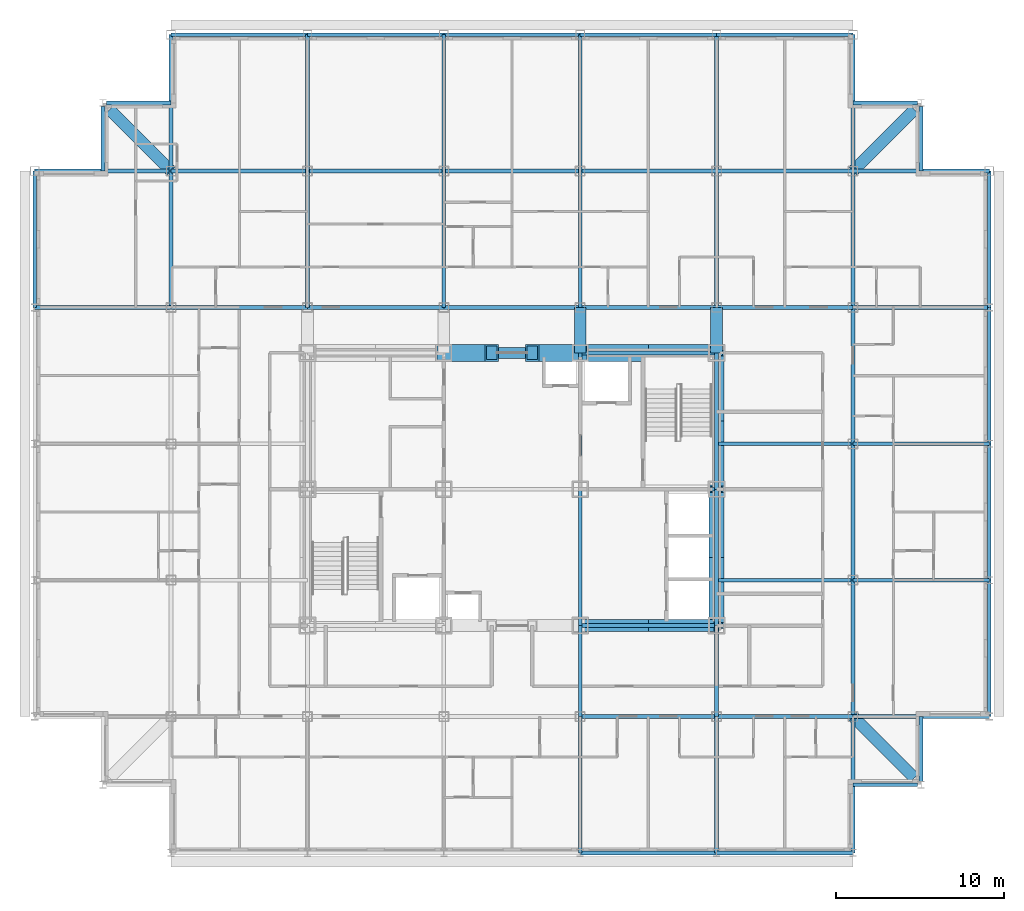
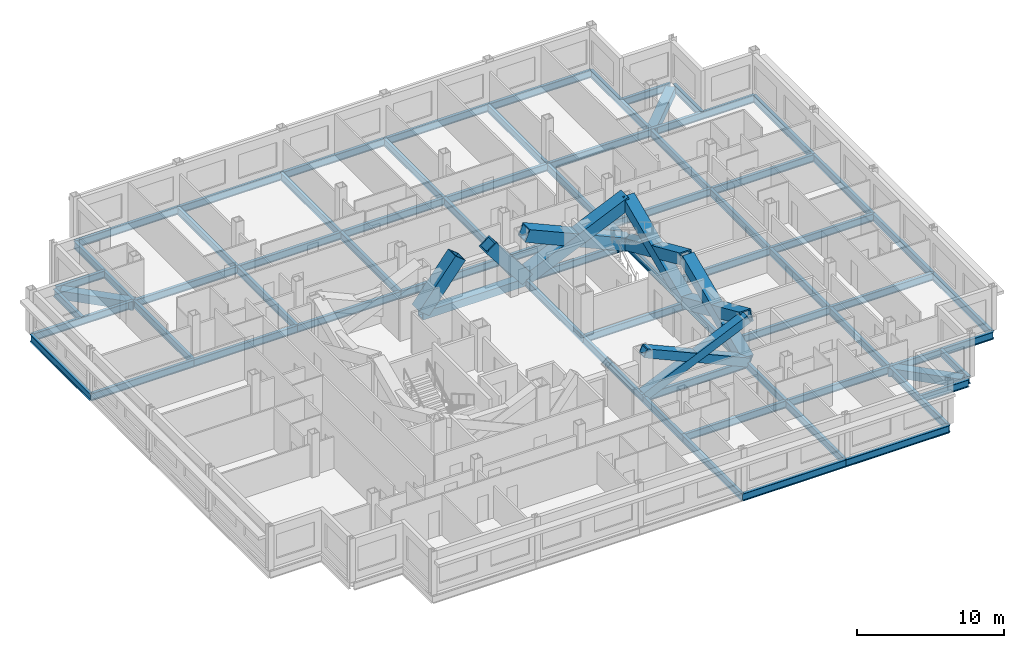
# One storey, part 2 of 12: 72 beams, 10 members.
"""IFC4 building model written with IfcOpenShell, lengths in metres."""

import ifcopenshell
import ifcopenshell.guid

model = None  # the IFC model being written
_history = None  # IfcOwnerHistory: only IFC2X3 demands one
_inside = {}  # id of a spatial element -> (the spatial element, [elements in it])
_under = {}  # id of a project, library or spatial element -> (it, [spatial elements below it])
_declared = {}  # id of a project -> (the project, [libraries it declares])
_typed = {}  # id of a type object -> (the type object, [elements of that type])
_made_of = {}  # id of a material, layer set ... -> (it, [elements and type objects made of it])


def new_model(schema):
    """Start an empty IFC model of exactly this schema.

    Asked for "IFC4X3", IfcOpenShell would pick the latest addendum, in which some entities
    have other attributes; the version numbers below select the first issue.
    IFC2X3 requires an IfcOwnerHistory on every rooted entity: one is made here for all.
    """
    global model, _history
    if schema == "IFC4X3":
        model = ifcopenshell.file(schema_version=(4, 3, 0, 0))
    else:
        model = ifcopenshell.file(schema=schema)
    _inside.clear()
    _under.clear()
    _declared.clear()
    _typed.clear()
    _made_of.clear()
    _history = None
    if model.schema == "IFC2X3":
        org = make("IfcOrganization", Name="unknown")
        user = make(
            "IfcPersonAndOrganization",
            ThePerson=make("IfcPerson", FamilyName="unknown"),
            TheOrganization=org,
        )
        app = make(
            "IfcApplication",
            ApplicationDeveloper=org,
            Version="unknown",
            ApplicationFullName="unknown",
            ApplicationIdentifier="unknown",
        )
        _history = make(
            "IfcOwnerHistory",
            OwningUser=user,
            OwningApplication=app,
            ChangeAction="ADDED",
            CreationDate=0,
        )
    return model


def make(cls, **values):
    """One entity of the class cls with the attributes given. An attribute that is None is left unset."""
    return model.create_entity(
        cls, **{name: value for name, value in values.items() if value is not None}
    )


def rooted(cls, **values):
    """An entity with a GlobalId (a new one), such as an element, a storey or a relation."""
    return make(cls, GlobalId=ifcopenshell.guid.new(), OwnerHistory=_history, **values)


def si_unit(unit_type, name, prefix=None):
    """IfcSIUnit, for example si_unit("LENGTHUNIT", "METRE", prefix="MILLI")."""
    return make("IfcSIUnit", UnitType=unit_type, Prefix=prefix, Name=name)


def assignment(units):
    """IfcUnitAssignment: the units of a project."""
    return None if units is None else make("IfcUnitAssignment", Units=units)


def point(xyz):
    """IfcCartesianPoint."""
    return None if xyz is None else make("IfcCartesianPoint", Coordinates=xyz)


def direction(xyz):
    """IfcDirection."""
    return None if xyz is None else make("IfcDirection", DirectionRatios=xyz)


def frame(location, z_axis=None, x_axis=None):
    """IfcAxis2Placement3D, a coordinate frame: its origin and axes. An axis left out is left unset."""
    return make(
        "IfcAxis2Placement3D",
        Location=point(location),
        Axis=direction(z_axis),
        RefDirection=direction(x_axis),
    )


def frame_2d(location, x_axis=None):
    """IfcAxis2Placement2D, a coordinate frame in the plane: its origin and x axis."""
    return make(
        "IfcAxis2Placement2D", Location=point(location), RefDirection=direction(x_axis)
    )


def origin():
    """The frame at (0, 0, 0) with its axes left unset."""
    return frame((0.0, 0.0, 0.0))


def origin_2d():
    """The frame at (0, 0) in the plane with its x axis left unset."""
    return frame_2d((0.0, 0.0))


def place(relative_to, where):
    """IfcLocalPlacement: puts the frame where relative to a parent placement (None: the world)."""
    return make(
        "IfcLocalPlacement", PlacementRelTo=relative_to, RelativePlacement=where
    )


def context(
    kind, dimensions, precision=None, world=None, true_north=None, identifier=None
):
    """IfcGeometricRepresentationContext, for example the 3D "Model" context."""
    return make(
        "IfcGeometricRepresentationContext",
        ContextIdentifier=identifier,
        ContextType=kind,
        CoordinateSpaceDimension=dimensions,
        Precision=precision,
        WorldCoordinateSystem=world,
        TrueNorth=true_north,
    )


def subcontext(parent, identifier, kind, view, scale=None):
    """IfcGeometricRepresentationSubContext, for example "Body" below "Model"."""
    return make(
        "IfcGeometricRepresentationSubContext",
        ContextIdentifier=identifier,
        ContextType=kind,
        ParentContext=parent,
        TargetScale=scale,
        TargetView=view,
    )


def project(units=None, contexts=None):
    """IfcProject with its units and contexts."""
    return rooted(
        "IfcProject",
        Name="project",
        RepresentationContexts=contexts,
        UnitsInContext=assignment(units),
    )


def spatial(cls, under=None, at=None, **own):
    """A site, building, storey or space (cls), placed at a placement, below another one or the project."""
    s = rooted(cls, ObjectPlacement=at, **own)
    if under is not None:
        _under.setdefault(under.id(), (under, []))[1].append(s)
    return s


def profile(cls, at=None, kind="AREA", **sizes):
    """A parametric profile (cls). Its sizes go by their IFC names, for example OverallWidth=200.0."""
    return make(cls, ProfileType=kind, Position=at, **sizes)


def hollow_rectangle(**sizes):
    """IfcRectangleHollowProfileDef."""
    return profile("IfcRectangleHollowProfileDef", **sizes)


def i_section(**sizes):
    """IfcIShapeProfileDef."""
    return profile("IfcIShapeProfileDef", **sizes)


def extrude(swept, where, along, depth):
    """IfcExtrudedAreaSolid: the profile swept, set in the frame where, extruded along a direction by depth."""
    return make(
        "IfcExtrudedAreaSolid",
        SweptArea=swept,
        Position=where,
        ExtrudedDirection=direction(along),
        Depth=depth,
    )


def shape(context_of_items, identifier, shape_type, items):
    """IfcShapeRepresentation: the items that make up one representation, for example the "Body"."""
    return make(
        "IfcShapeRepresentation",
        ContextOfItems=context_of_items,
        RepresentationIdentifier=identifier,
        RepresentationType=shape_type,
        Items=items,
    )


def material(Name=None, Category=None):
    """IfcMaterial."""
    return make("IfcMaterial", Name=Name, Category=Category)


def material_profile(
    of_material, cross_section, Name=None, Category=None, Priority=None
):
    """IfcMaterialProfile: a cross section and its material."""
    return make(
        "IfcMaterialProfile",
        Name=Name,
        Material=of_material,
        Profile=cross_section,
        Priority=Priority,
        Category=Category,
    )


def profile_set(profiles, Name=None, composite=None):
    """IfcMaterialProfileSet."""
    return make(
        "IfcMaterialProfileSet",
        Name=Name,
        MaterialProfiles=profiles,
        CompositeProfile=composite,
    )


def made_of(thing, what):
    """Note that an element or type object is made of a material, layer set ...; save() writes the relation."""
    if what is not None:
        _made_of.setdefault(what.id(), (what, []))[1].append(thing)
    return thing


def type_object(cls, material=None, **own):
    """A type object (cls), such as IfcWallType, which elements share."""
    return made_of(rooted(cls, **own), material)


def element(
    cls,
    number,
    at=None,
    inside=None,
    cuts=None,
    type_object=None,
    material=None,
    context=None,
    identifier="Body",
    shape_type=None,
    held_by="IfcProductDefinitionShape",
    body=None,
    shapes=None,
    **own,
):
    """One element of the class cls, such as IfcWall. Its Tag is "e" and its number.

    at: its placement. inside: the storey or other place that contains it. cuts: it is an
    opening in that element (IfcRelVoidsElement). A single representation is given by context,
    identifier, shape_type and body (its items); several are given by shapes. held_by: the class
    of the entity that holds the representations. save() writes the other relations.
    """
    e = rooted(cls, Tag="e%d" % number, ObjectPlacement=at, **own)
    if body is not None:
        shapes = [shape(context, identifier, shape_type, body)]
    if shapes is not None:
        e.Representation = make(held_by, Representations=shapes)
    if inside is not None:
        _inside.setdefault(inside.id(), (inside, []))[1].append(e)
    if cuts is not None:
        rooted(
            "IfcRelVoidsElement", RelatingBuildingElement=cuts, RelatedOpeningElement=e
        )
    if type_object is not None:
        _typed.setdefault(type_object.id(), (type_object, []))[1].append(e)
    return made_of(e, material)


def aggregate(whole, parts):
    """IfcRelAggregates: a whole, such as a stair, and the parts it consists of."""
    return rooted("IfcRelAggregates", RelatingObject=whole, RelatedObjects=parts)


def save(model, path):
    """Write the relations noted so far, then the file.

    IfcRelAggregates (storeys below a building ...), IfcRelContainedInSpatialStructure (elements
    in a storey), IfcRelDefinesByType, IfcRelAssociatesMaterial and IfcRelDeclares: one each for
    every whole, place, type object, material and project.
    """
    for whole, parts in _under.values():
        aggregate(whole, parts)
    for where, things in _inside.values():
        rooted(
            "IfcRelContainedInSpatialStructure",
            RelatedElements=things,
            RelatingStructure=where,
        )
    for kind, things in _typed.values():
        rooted("IfcRelDefinesByType", RelatedObjects=things, RelatingType=kind)
    for what, things in _made_of.values():
        rooted("IfcRelAssociatesMaterial", RelatedObjects=things, RelatingMaterial=what)
    for by, libraries in _declared.values():
        rooted("IfcRelDeclares", RelatingContext=by, RelatedDefinitions=libraries)
    model.write(path)


model = new_model("IFC4")

# Units and contexts
model_context = context("Model", 3, precision=1e-05, world=origin(), true_north=direction((0.0, 1.0)))
body_context = subcontext(model_context, "Body", "Model", "MODEL_VIEW")
ifc_project = project(units=[si_unit("LENGTHUNIT", "METRE"), si_unit("AREAUNIT", "SQUARE_METRE"), si_unit("VOLUMEUNIT", "CUBIC_METRE"), si_unit("PLANEANGLEUNIT", "RADIAN"), si_unit("MASSUNIT", "GRAM", prefix="KILO")], contexts=[model_context])

# Site, building, storey
site_placement = place(None, origin())
site = spatial("IfcSite", under=ifc_project, at=site_placement, CompositionType="ELEMENT")
building_placement = place(site_placement, origin())
building = spatial("IfcBuilding", under=site, at=building_placement, Name="Kopane Lantern Tower", CompositionType="ELEMENT")
storey_placement = place(building_placement, frame((0.0, 0.0, 220.800048828125)))
storey = spatial("IfcBuildingStorey", under=building, at=storey_placement, Name="L57", CompositionType="ELEMENT", Elevation=220.800048828125)

# Members
ifc_material_1 = material(Name="Steel S355JR", Category="steel")
ifc_material_profile_1 = material_profile(ifc_material_1, hollow_rectangle(XDim=1.0, YDim=1.0, WallThickness=0.10009765625, at=origin_2d()), Name="BOX 1000x1000x100")
ifc_profile_set_1 = profile_set([ifc_material_profile_1], Name="Steel S355JR")
member_type_1 = type_object("IfcMemberType", Name="BRACE BOX 1000x1000x100", PredefinedType="BRACE", material=ifc_profile_set_1)
for number, where, z_axis, x_axis, name in (
    (1, (24.300048828125, 40.5, -0.2099609375), (0.620698858423, 0.0, 0.784049059149), (0.0, 1.0, 0.0), "Core brace L57"),
    (2, (32.39990234375, 40.5, -0.2099609375), (-0.620698858423, 0.0, 0.784049059149), (0.0, -1.0, 0.0), "Core brace L57"),
):
    element("IfcMember", number, at=place(storey_placement, frame(where, z_axis=z_axis, x_axis=x_axis)), inside=storey, type_object=member_type_1, Name=name, PredefinedType="BRACE", context=body_context, shape_type="SweptSolid", body=[
        extrude(hollow_rectangle(XDim=1.0, YDim=1.0, WallThickness=0.10009765625, at=origin_2d()), origin(), (0.0, 0.0, 1.0), 4.59130859375),
    ])
for number, where, z_axis, x_axis, name in (
    (3, (32.39990234375, 40.5, -0.2099609375), (0.913819498983, 0.0, 0.406120577265), (0.0, 1.0, 0.0), "Core brace L57"),
    (4, (40.5, 40.5, -0.2099609375), (-0.913819498983, 0.0, 0.406120577265), (0.0, -1.0, 0.0), "Core brace L57"),
):
    element("IfcMember", number, at=place(storey_placement, frame(where, z_axis=z_axis, x_axis=x_axis)), inside=storey, type_object=member_type_1, Name=name, PredefinedType="BRACE", context=body_context, shape_type="SweptSolid", body=[
        extrude(hollow_rectangle(XDim=1.0, YDim=1.0, WallThickness=0.10009765625, at=origin_2d()), origin(), (0.0, 0.0, 1.0), 8.864013671875),
    ])
ifc_material_2 = material(Name="Steel S355JR", Category="steel")
ifc_material_profile_2 = material_profile(ifc_material_2, hollow_rectangle(XDim=0.699951171875, YDim=0.699951171875, WallThickness=0.06005859375, at=origin_2d()), Name="BOX 700x700x60")
ifc_profile_set_2 = profile_set([ifc_material_profile_2], Name="Steel S355JR")
member_type_2 = type_object("IfcMemberType", Name="BRACE BOX 700x700x60", PredefinedType="BRACE", material=ifc_profile_set_2)
for number, where, z_axis, x_axis, name in (
    (5, (32.39990234375, 24.300048828125, -0.2099609375), (0.913819498983, 0.0, 0.406120577265), (0.0, 1.0, 0.0), "Core brace L57"),
    (6, (40.5, 24.300048828125, -0.2099609375), (-0.913819498983, 0.0, 0.406120577265), (0.0, -1.0, 0.0), "Core brace L57"),
):
    element("IfcMember", number, at=place(storey_placement, frame(where, z_axis=z_axis, x_axis=x_axis)), inside=storey, type_object=member_type_2, Name=name, PredefinedType="BRACE", context=body_context, shape_type="SweptSolid", body=[
        extrude(hollow_rectangle(XDim=0.699951171875, YDim=0.699951171875, WallThickness=0.06005859375, at=origin_2d()), origin(), (0.0, 0.0, 1.0), 8.864013671875),
    ])
ifc_material_3 = material(Name="Steel S355JR", Category="steel")
ifc_material_profile_3 = material_profile(ifc_material_3, hollow_rectangle(XDim=0.89990234375, YDim=0.89990234375, WallThickness=0.090087890625, at=origin_2d()), Name="BOX 900x900x90")
ifc_profile_set_3 = profile_set([ifc_material_profile_3], Name="Steel S355JR")
member_type_3 = type_object("IfcMemberType", Name="BRACE BOX 900x900x90", PredefinedType="BRACE", material=ifc_profile_set_3)
for number, where, z_axis, x_axis, name in (
    (7, (40.5, 24.300048828125, -0.2099609375), (0.0, 0.913814956047, 0.406130799256), (-1.0, 0.0, 0.0), "Core brace L57"),
    (8, (40.5, 32.39990234375, -0.2099609375), (0.0, -0.913814956047, 0.406130799256), (1.0, 0.0, 0.0), "Core brace L57"),
):
    element("IfcMember", number, at=place(storey_placement, frame(where, z_axis=z_axis, x_axis=x_axis)), inside=storey, type_object=member_type_3, Name=name, PredefinedType="BRACE", context=body_context, shape_type="SweptSolid", body=[
        extrude(hollow_rectangle(XDim=0.89990234375, YDim=0.89990234375, WallThickness=0.090087890625, at=origin_2d()), origin(), (0.0, 0.0, 1.0), 8.86376953125),
    ])
for number, where, z_axis, x_axis, name in (
    (9, (40.5, 32.39990234375, -0.2099609375), (0.0, 0.913819498983, 0.406120577265), (-1.0, 0.0, 0.0), "Core brace L57"),
    (10, (40.5, 40.5, -0.2099609375), (0.0, -0.913819498983, 0.406120577265), (1.0, 0.0, 0.0), "Core brace L57"),
):
    element("IfcMember", number, at=place(storey_placement, frame(where, z_axis=z_axis, x_axis=x_axis)), inside=storey, type_object=member_type_3, Name=name, PredefinedType="BRACE", context=body_context, shape_type="SweptSolid", body=[
        extrude(hollow_rectangle(XDim=0.89990234375, YDim=0.89990234375, WallThickness=0.090087890625, at=origin_2d()), origin(), (0.0, 0.0, 1.0), 8.864013671875),
    ])

# Beams
ifc_material_4 = material(Name="Steel S355JR", Category="steel")
ifc_material_profile_4 = material_profile(ifc_material_4, i_section(OverallWidth=0.22900390625, OverallDepth=0.6123046875, WebThickness=0.011962890625, FlangeThickness=0.01953125, FilletRadius=0.0126953125, at=origin_2d()), Name="UB 610x229x125")
ifc_profile_set_4 = profile_set([ifc_material_profile_4], Name="Steel S355JR")
beam_type_1 = type_object("IfcBeamType", Name="CORE BEAM UB 610x229x125", PredefinedType="BEAM", material=ifc_profile_set_4)
beam_1_placement = place(storey_placement, frame((32.39990234375, 24.300048828125, -0.51611328125), z_axis=(0.0, 1.0, 0.0), x_axis=(-1.0, 0.0, 0.0)))
element("IfcBeam", 11, at=beam_1_placement, inside=storey, type_object=beam_type_1, Name="Core Beam L57", PredefinedType="BEAM", context=body_context, shape_type="SweptSolid", body=[
    extrude(i_section(OverallWidth=0.22900390625, OverallDepth=0.6123046875, WebThickness=0.011962890625, FlangeThickness=0.01953125, FilletRadius=0.0126953125, at=origin_2d()), origin(), (0.0, 0.0, 1.0), 8.099853515625),
])
for number, where, z_axis, x_axis, name in (
    (12, (32.39990234375, 32.39990234375, -0.51611328125), (0.0, 1.0, 0.0), (-1.0, 0.0, 0.0), "Core Beam L57"),
    (13, (32.39990234375, 32.39990234375, -0.51611328125), (1.0, 0.0, 0.0), (0.0, 1.0, 0.0), "Core Beam L57"),
):
    element("IfcBeam", number, at=place(storey_placement, frame(where, z_axis=z_axis, x_axis=x_axis)), inside=storey, type_object=beam_type_1, Name=name, PredefinedType="BEAM", context=body_context, shape_type="SweptSolid", body=[
        extrude(i_section(OverallWidth=0.22900390625, OverallDepth=0.6123046875, WebThickness=0.011962890625, FlangeThickness=0.01953125, FilletRadius=0.0126953125, at=origin_2d()), origin(), (0.0, 0.0, 1.0), 8.10009765625),
    ])
ifc_material_5 = material(Name="Steel S355JR", Category="steel")
ifc_material_profile_5 = material_profile(ifc_material_5, hollow_rectangle(XDim=0.699951171875, YDim=0.699951171875, WallThickness=0.06005859375, at=origin_2d()), Name="BOX 700x700x60")
ifc_profile_set_5 = profile_set([ifc_material_profile_5], Name="Steel S355JR")
beam_type_2 = type_object("IfcBeamType", Name="CORNER TIE BEAM BOX 700x700x60", PredefinedType="BEAM", material=ifc_profile_set_5)
for number, where, z_axis, x_axis, name in (
    (14, (4.447509765625, 54.952392578125, -0.56005859375), (0.70713041325, -0.707083148333, 0.0), (0.707083148333, 0.70713041325, 0.0), "Corner Tie Beam L57"),
    (15, (52.25244140625, 15.24755859375, -0.56005859375), (-0.707106781187, 0.707106781187, 0.0), (-0.707106781187, -0.707106781187, 0.0), "Corner Tie Beam L57"),
    (16, (52.25244140625, 54.952392578125, -0.56005859375), (-0.707106781187, -0.707106781187, 0.0), (0.707106781187, -0.707106781187, 0.0), "Corner Tie Beam L57"),
):
    element("IfcBeam", number, at=place(storey_placement, frame(where, z_axis=z_axis, x_axis=x_axis)), inside=storey, type_object=beam_type_2, Name=name, PredefinedType="BEAM", context=body_context, shape_type="SweptSolid", body=[
        extrude(hollow_rectangle(XDim=0.699951171875, YDim=0.699951171875, WallThickness=0.06005859375, at=origin_2d()), origin(), (0.0, 0.0, 1.0), 5.165283203125),
    ])
ifc_material_6 = material(Name="Steel S355JR", Category="steel")
ifc_material_profile_6 = material_profile(ifc_material_6, i_section(OverallWidth=0.22900390625, OverallDepth=0.6123046875, WebThickness=0.011962890625, FlangeThickness=0.01953125, FilletRadius=0.0126953125, at=origin_2d()), Name="UB 610x229x125")
ifc_profile_set_6 = profile_set([ifc_material_profile_6], Name="Steel S355JR")
beam_type_3 = type_object("IfcBeamType", Name="EDGE BEAM UB 610x229x125", PredefinedType="BEAM", material=ifc_profile_set_6)
beam_2_placement = place(storey_placement, frame((4.050048828125, 55.146484375, -0.51611328125), z_axis=(0.0, -1.0, 0.0), x_axis=(1.0, 0.0, 0.0)))
element("IfcBeam", 17, at=beam_2_placement, inside=storey, type_object=beam_type_3, Name="Edge Beam L57", PredefinedType="BEAM", context=body_context, shape_type="SweptSolid", body=[
    extrude(i_section(OverallWidth=0.22900390625, OverallDepth=0.6123046875, WebThickness=0.011962890625, FlangeThickness=0.01953125, FilletRadius=0.0126953125, at=origin_2d()), origin(), (0.0, 0.0, 1.0), 3.846435546875),
])
beam_3_placement = place(storey_placement, frame((4.25341796875, 55.35009765625, -0.51611328125), z_axis=(1.0, 0.0, 0.0), x_axis=(0.0, 1.0, 0.0)))
element("IfcBeam", 18, at=beam_3_placement, inside=storey, type_object=beam_type_3, Name="Edge Beam L57", PredefinedType="BEAM", context=body_context, shape_type="SweptSolid", body=[
    extrude(i_section(OverallWidth=0.22900390625, OverallDepth=0.6123046875, WebThickness=0.011962890625, FlangeThickness=0.01953125, FilletRadius=0.0126953125, at=origin_2d()), origin(), (0.0, 0.0, 1.0), 3.8466796875),
])
for number, where, z_axis, x_axis, name in (
    (19, (52.446533203125, 14.85009765625, -0.51611328125), (-1.0, 0.0, 0.0), (0.0, -1.0, 0.0), "Edge Beam L57"),
    (20, (52.446533203125, 55.35009765625, -0.51611328125), (-1.0, 0.0, 0.0), (0.0, -1.0, 0.0), "Edge Beam L57"),
    (21, (52.64990234375, 15.053466796875, -0.51611328125), (0.0, 1.0, 0.0), (-1.0, 0.0, 0.0), "Edge Beam L57"),
    (22, (52.64990234375, 55.146484375, -0.51611328125), (0.0, -1.0, 0.0), (1.0, 0.0, 0.0), "Edge Beam L57"),
):
    element("IfcBeam", number, at=place(storey_placement, frame(where, z_axis=z_axis, x_axis=x_axis)), inside=storey, type_object=beam_type_3, Name=name, PredefinedType="BEAM", context=body_context, shape_type="SweptSolid", body=[
        extrude(i_section(OverallWidth=0.22900390625, OverallDepth=0.6123046875, WebThickness=0.011962890625, FlangeThickness=0.01953125, FilletRadius=0.0126953125, at=origin_2d()), origin(), (0.0, 0.0, 1.0), 3.846435546875),
    ])
ifc_material_7 = material(Name="Steel S355JR", Category="steel")
ifc_material_profile_7 = material_profile(ifc_material_7, hollow_rectangle(XDim=0.699951171875, YDim=0.699951171875, WallThickness=0.06005859375, at=origin_2d()), Name="BOX 700x700x60")
ifc_profile_set_7 = profile_set([ifc_material_profile_7], Name="Steel S355JR")
beam_type_4 = type_object("IfcBeamType", Name="GIRDER BOX 700x700x60", PredefinedType="BEAM", material=ifc_profile_set_7)
for number, where, z_axis, x_axis, name in (
    (23, (32.39990234375, 40.5, -0.56005859375), (0.0, 1.0, 0.0), (-1.0, 0.0, 0.0), "Girder L57"),
    (24, (40.5, 40.5, -0.56005859375), (0.0, 1.0, 0.0), (-1.0, 0.0, 0.0), "Girder L57"),
):
    element("IfcBeam", number, at=place(storey_placement, frame(where, z_axis=z_axis, x_axis=x_axis)), inside=storey, type_object=beam_type_4, Name=name, PredefinedType="BEAM", context=body_context, shape_type="SweptSolid", body=[
        extrude(hollow_rectangle(XDim=0.699951171875, YDim=0.699951171875, WallThickness=0.06005859375, at=origin_2d()), origin(), (0.0, 0.0, 1.0), 2.699951171875),
    ])
ifc_material_8 = material(Name="Steel S355JR", Category="steel")
ifc_material_profile_8 = material_profile(ifc_material_8, i_section(OverallWidth=0.22900390625, OverallDepth=0.6123046875, WebThickness=0.011962890625, FlangeThickness=0.01953125, FilletRadius=0.0126953125, at=origin_2d()), Name="UB 610x229x125")
ifc_profile_set_8 = profile_set([ifc_material_profile_8], Name="Steel S355JR")
beam_type_5 = type_object("IfcBeamType", Name="GIRDER UB 610x229x125", PredefinedType="BEAM", material=ifc_profile_set_8)
for number, where, z_axis, x_axis, name in (
    (25, (0.0, 43.199951171875, -0.51611328125), (0.0, 1.0, 0.0), (-1.0, 0.0, 0.0), "Girder L57"),
    (26, (0.0, 43.199951171875, -0.51611328125), (1.0, 0.0, 0.0), (0.0, 1.0, 0.0), "Girder L57"),
    (27, (0.0, 51.300048828125, -0.51611328125), (1.0, 0.0, 0.0), (0.0, 1.0, 0.0), "Girder L57"),
    (28, (8.10009765625, 43.199951171875, -0.51611328125), (0.0, 1.0, 0.0), (-1.0, 0.0, 0.0), "Girder L57"),
):
    element("IfcBeam", number, at=place(storey_placement, frame(where, z_axis=z_axis, x_axis=x_axis)), inside=storey, type_object=beam_type_5, Name=name, PredefinedType="BEAM", context=body_context, shape_type="SweptSolid", body=[
        extrude(i_section(OverallWidth=0.22900390625, OverallDepth=0.6123046875, WebThickness=0.011962890625, FlangeThickness=0.01953125, FilletRadius=0.0126953125, at=origin_2d()), origin(), (0.0, 0.0, 1.0), 8.10009765625),
    ])
for number, where, z_axis, x_axis, name in (
    (29, (8.10009765625, 43.199951171875, -0.51611328125), (1.0, 0.0, 0.0), (0.0, 1.0, 0.0), "Girder L57"),
    (30, (8.10009765625, 51.300048828125, -0.51611328125), (0.0, 1.0, 0.0), (-1.0, 0.0, 0.0), "Girder L57"),
    (31, (8.10009765625, 51.300048828125, -0.51611328125), (1.0, 0.0, 0.0), (0.0, 1.0, 0.0), "Girder L57"),
    (32, (8.10009765625, 59.39990234375, -0.51611328125), (1.0, 0.0, 0.0), (0.0, 1.0, 0.0), "Girder L57"),
):
    element("IfcBeam", number, at=place(storey_placement, frame(where, z_axis=z_axis, x_axis=x_axis)), inside=storey, type_object=beam_type_5, Name=name, PredefinedType="BEAM", context=body_context, shape_type="SweptSolid", body=[
        extrude(i_section(OverallWidth=0.22900390625, OverallDepth=0.6123046875, WebThickness=0.011962890625, FlangeThickness=0.01953125, FilletRadius=0.0126953125, at=origin_2d()), origin(), (0.0, 0.0, 1.0), 8.099853515625),
    ])
for number, where, z_axis, x_axis, name in (
    (33, (16.199951171875, 43.199951171875, -0.51611328125), (0.0, 1.0, 0.0), (-1.0, 0.0, 0.0), "Girder L57"),
    (34, (16.199951171875, 43.199951171875, -0.51611328125), (1.0, 0.0, 0.0), (0.0, 1.0, 0.0), "Girder L57"),
):
    element("IfcBeam", number, at=place(storey_placement, frame(where, z_axis=z_axis, x_axis=x_axis)), inside=storey, type_object=beam_type_5, Name=name, PredefinedType="BEAM", context=body_context, shape_type="SweptSolid", body=[
        extrude(i_section(OverallWidth=0.22900390625, OverallDepth=0.6123046875, WebThickness=0.011962890625, FlangeThickness=0.01953125, FilletRadius=0.0126953125, at=origin_2d()), origin(), (0.0, 0.0, 1.0), 8.10009765625),
    ])
beam_4_placement = place(storey_placement, frame((16.199951171875, 51.300048828125, -0.51611328125), z_axis=(0.0, 1.0, 0.0), x_axis=(-1.0, 0.0, 0.0)))
element("IfcBeam", 35, at=beam_4_placement, inside=storey, type_object=beam_type_5, Name="Girder L57", PredefinedType="BEAM", context=body_context, shape_type="SweptSolid", body=[
    extrude(i_section(OverallWidth=0.22900390625, OverallDepth=0.6123046875, WebThickness=0.011962890625, FlangeThickness=0.01953125, FilletRadius=0.0126953125, at=origin_2d()), origin(), (0.0, 0.0, 1.0), 8.099853515625),
])
for number, where, z_axis, x_axis, name in (
    (36, (16.199951171875, 51.300048828125, -0.51611328125), (1.0, 0.0, 0.0), (0.0, 1.0, 0.0), "Girder L57"),
    (37, (16.199951171875, 59.39990234375, -0.51611328125), (1.0, 0.0, 0.0), (0.0, 1.0, 0.0), "Girder L57"),
    (38, (24.300048828125, 43.199951171875, -0.51611328125), (0.0, 1.0, 0.0), (-1.0, 0.0, 0.0), "Girder L57"),
):
    element("IfcBeam", number, at=place(storey_placement, frame(where, z_axis=z_axis, x_axis=x_axis)), inside=storey, type_object=beam_type_5, Name=name, PredefinedType="BEAM", context=body_context, shape_type="SweptSolid", body=[
        extrude(i_section(OverallWidth=0.22900390625, OverallDepth=0.6123046875, WebThickness=0.011962890625, FlangeThickness=0.01953125, FilletRadius=0.0126953125, at=origin_2d()), origin(), (0.0, 0.0, 1.0), 8.10009765625),
    ])
for number, where, z_axis, x_axis, name in (
    (39, (24.300048828125, 43.199951171875, -0.51611328125), (1.0, 0.0, 0.0), (0.0, 1.0, 0.0), "Girder L57"),
    (40, (24.300048828125, 51.300048828125, -0.51611328125), (0.0, 1.0, 0.0), (-1.0, 0.0, 0.0), "Girder L57"),
    (41, (24.300048828125, 51.300048828125, -0.51611328125), (1.0, 0.0, 0.0), (0.0, 1.0, 0.0), "Girder L57"),
    (42, (24.300048828125, 59.39990234375, -0.51611328125), (1.0, 0.0, 0.0), (0.0, 1.0, 0.0), "Girder L57"),
    (43, (32.39990234375, 10.800048828125, -0.51611328125), (0.0, 1.0, 0.0), (-1.0, 0.0, 0.0), "Girder L57"),
):
    element("IfcBeam", number, at=place(storey_placement, frame(where, z_axis=z_axis, x_axis=x_axis)), inside=storey, type_object=beam_type_5, Name=name, PredefinedType="BEAM", context=body_context, shape_type="SweptSolid", body=[
        extrude(i_section(OverallWidth=0.22900390625, OverallDepth=0.6123046875, WebThickness=0.011962890625, FlangeThickness=0.01953125, FilletRadius=0.0126953125, at=origin_2d()), origin(), (0.0, 0.0, 1.0), 8.099853515625),
    ])
beam_5_placement = place(storey_placement, frame((32.39990234375, 10.800048828125, -0.51611328125), z_axis=(1.0, 0.0, 0.0), x_axis=(0.0, 1.0, 0.0)))
element("IfcBeam", 44, at=beam_5_placement, inside=storey, type_object=beam_type_5, Name="Girder L57", PredefinedType="BEAM", context=body_context, shape_type="SweptSolid", body=[
    extrude(i_section(OverallWidth=0.22900390625, OverallDepth=0.6123046875, WebThickness=0.011962890625, FlangeThickness=0.01953125, FilletRadius=0.0126953125, at=origin_2d()), origin(), (0.0, 0.0, 1.0), 8.10009765625),
])
beam_6_placement = place(storey_placement, frame((32.39990234375, 18.89990234375, -0.51611328125), z_axis=(0.0, 1.0, 0.0), x_axis=(-1.0, 0.0, 0.0)))
element("IfcBeam", 45, at=beam_6_placement, inside=storey, type_object=beam_type_5, Name="Girder L57", PredefinedType="BEAM", context=body_context, shape_type="SweptSolid", body=[
    extrude(i_section(OverallWidth=0.22900390625, OverallDepth=0.6123046875, WebThickness=0.011962890625, FlangeThickness=0.01953125, FilletRadius=0.0126953125, at=origin_2d()), origin(), (0.0, 0.0, 1.0), 5.400146484375),
])
for number, where, z_axis, x_axis, name in (
    (46, (32.39990234375, 18.89990234375, -0.51611328125), (1.0, 0.0, 0.0), (0.0, 1.0, 0.0), "Girder L57"),
    (47, (32.39990234375, 24.300048828125, -0.51611328125), (1.0, 0.0, 0.0), (0.0, 1.0, 0.0), "Girder L57"),
    (48, (32.39990234375, 40.5, -0.51611328125), (1.0, 0.0, 0.0), (0.0, 1.0, 0.0), "Girder L57"),
    (49, (32.39990234375, 43.199951171875, -0.51611328125), (0.0, 1.0, 0.0), (-1.0, 0.0, 0.0), "Girder L57"),
    (50, (32.39990234375, 43.199951171875, -0.51611328125), (1.0, 0.0, 0.0), (0.0, 1.0, 0.0), "Girder L57"),
):
    element("IfcBeam", number, at=place(storey_placement, frame(where, z_axis=z_axis, x_axis=x_axis)), inside=storey, type_object=beam_type_5, Name=name, PredefinedType="BEAM", context=body_context, shape_type="SweptSolid", body=[
        extrude(i_section(OverallWidth=0.22900390625, OverallDepth=0.6123046875, WebThickness=0.011962890625, FlangeThickness=0.01953125, FilletRadius=0.0126953125, at=origin_2d()), origin(), (0.0, 0.0, 1.0), 8.10009765625),
    ])
beam_7_placement = place(storey_placement, frame((32.39990234375, 51.300048828125, -0.51611328125), z_axis=(0.0, 1.0, 0.0), x_axis=(-1.0, 0.0, 0.0)))
element("IfcBeam", 51, at=beam_7_placement, inside=storey, type_object=beam_type_5, Name="Girder L57", PredefinedType="BEAM", context=body_context, shape_type="SweptSolid", body=[
    extrude(i_section(OverallWidth=0.22900390625, OverallDepth=0.6123046875, WebThickness=0.011962890625, FlangeThickness=0.01953125, FilletRadius=0.0126953125, at=origin_2d()), origin(), (0.0, 0.0, 1.0), 8.099853515625),
])
for number, where, z_axis, x_axis, name in (
    (52, (32.39990234375, 51.300048828125, -0.51611328125), (1.0, 0.0, 0.0), (0.0, 1.0, 0.0), "Girder L57"),
    (53, (32.39990234375, 59.39990234375, -0.51611328125), (1.0, 0.0, 0.0), (0.0, 1.0, 0.0), "Girder L57"),
):
    element("IfcBeam", number, at=place(storey_placement, frame(where, z_axis=z_axis, x_axis=x_axis)), inside=storey, type_object=beam_type_5, Name=name, PredefinedType="BEAM", context=body_context, shape_type="SweptSolid", body=[
        extrude(i_section(OverallWidth=0.22900390625, OverallDepth=0.6123046875, WebThickness=0.011962890625, FlangeThickness=0.01953125, FilletRadius=0.0126953125, at=origin_2d()), origin(), (0.0, 0.0, 1.0), 8.10009765625),
    ])
beam_8_placement = place(storey_placement, frame((40.5, 10.800048828125, -0.51611328125), z_axis=(0.0, 1.0, 0.0), x_axis=(-1.0, 0.0, 0.0)))
element("IfcBeam", 54, at=beam_8_placement, inside=storey, type_object=beam_type_5, Name="Girder L57", PredefinedType="BEAM", context=body_context, shape_type="SweptSolid", body=[
    extrude(i_section(OverallWidth=0.22900390625, OverallDepth=0.6123046875, WebThickness=0.011962890625, FlangeThickness=0.01953125, FilletRadius=0.0126953125, at=origin_2d()), origin(), (0.0, 0.0, 1.0), 8.099853515625),
])
beam_9_placement = place(storey_placement, frame((40.5, 10.800048828125, -0.51611328125), z_axis=(1.0, 0.0, 0.0), x_axis=(0.0, 1.0, 0.0)))
element("IfcBeam", 55, at=beam_9_placement, inside=storey, type_object=beam_type_5, Name="Girder L57", PredefinedType="BEAM", context=body_context, shape_type="SweptSolid", body=[
    extrude(i_section(OverallWidth=0.22900390625, OverallDepth=0.6123046875, WebThickness=0.011962890625, FlangeThickness=0.01953125, FilletRadius=0.0126953125, at=origin_2d()), origin(), (0.0, 0.0, 1.0), 8.10009765625),
])
beam_10_placement = place(storey_placement, frame((40.5, 18.89990234375, -0.51611328125), z_axis=(0.0, 1.0, 0.0), x_axis=(-1.0, 0.0, 0.0)))
element("IfcBeam", 56, at=beam_10_placement, inside=storey, type_object=beam_type_5, Name="Girder L57", PredefinedType="BEAM", context=body_context, shape_type="SweptSolid", body=[
    extrude(i_section(OverallWidth=0.22900390625, OverallDepth=0.6123046875, WebThickness=0.011962890625, FlangeThickness=0.01953125, FilletRadius=0.0126953125, at=origin_2d()), origin(), (0.0, 0.0, 1.0), 5.400146484375),
])
beam_11_placement = place(storey_placement, frame((40.5, 18.89990234375, -0.51611328125), z_axis=(1.0, 0.0, 0.0), x_axis=(0.0, 1.0, 0.0)))
element("IfcBeam", 57, at=beam_11_placement, inside=storey, type_object=beam_type_5, Name="Girder L57", PredefinedType="BEAM", context=body_context, shape_type="SweptSolid", body=[
    extrude(i_section(OverallWidth=0.22900390625, OverallDepth=0.6123046875, WebThickness=0.011962890625, FlangeThickness=0.01953125, FilletRadius=0.0126953125, at=origin_2d()), origin(), (0.0, 0.0, 1.0), 8.10009765625),
])
beam_12_placement = place(storey_placement, frame((40.5, 24.300048828125, -0.51611328125), z_axis=(0.0, 1.0, 0.0), x_axis=(-1.0, 0.0, 0.0)))
element("IfcBeam", 58, at=beam_12_placement, inside=storey, type_object=beam_type_5, Name="Girder L57", PredefinedType="BEAM", context=body_context, shape_type="SweptSolid", body=[
    extrude(i_section(OverallWidth=0.22900390625, OverallDepth=0.6123046875, WebThickness=0.011962890625, FlangeThickness=0.01953125, FilletRadius=0.0126953125, at=origin_2d()), origin(), (0.0, 0.0, 1.0), 8.099853515625),
])
for number, where, z_axis, x_axis, name in (
    (59, (40.5, 27.0, -0.51611328125), (1.0, 0.0, 0.0), (0.0, 1.0, 0.0), "Girder L57"),
    (60, (40.5, 32.39990234375, -0.51611328125), (0.0, 1.0, 0.0), (-1.0, 0.0, 0.0), "Girder L57"),
    (61, (40.5, 35.10009765625, -0.51611328125), (1.0, 0.0, 0.0), (0.0, 1.0, 0.0), "Girder L57"),
    (62, (40.5, 43.199951171875, -0.51611328125), (0.0, 1.0, 0.0), (-1.0, 0.0, 0.0), "Girder L57"),
    (63, (40.5, 43.199951171875, -0.51611328125), (1.0, 0.0, 0.0), (0.0, 1.0, 0.0), "Girder L57"),
):
    element("IfcBeam", number, at=place(storey_placement, frame(where, z_axis=z_axis, x_axis=x_axis)), inside=storey, type_object=beam_type_5, Name=name, PredefinedType="BEAM", context=body_context, shape_type="SweptSolid", body=[
        extrude(i_section(OverallWidth=0.22900390625, OverallDepth=0.6123046875, WebThickness=0.011962890625, FlangeThickness=0.01953125, FilletRadius=0.0126953125, at=origin_2d()), origin(), (0.0, 0.0, 1.0), 8.10009765625),
    ])
beam_13_placement = place(storey_placement, frame((40.5, 51.300048828125, -0.51611328125), z_axis=(0.0, 1.0, 0.0), x_axis=(-1.0, 0.0, 0.0)))
element("IfcBeam", 64, at=beam_13_placement, inside=storey, type_object=beam_type_5, Name="Girder L57", PredefinedType="BEAM", context=body_context, shape_type="SweptSolid", body=[
    extrude(i_section(OverallWidth=0.22900390625, OverallDepth=0.6123046875, WebThickness=0.011962890625, FlangeThickness=0.01953125, FilletRadius=0.0126953125, at=origin_2d()), origin(), (0.0, 0.0, 1.0), 8.099853515625),
])
for number, where, z_axis, x_axis, name in (
    (65, (40.5, 51.300048828125, -0.51611328125), (1.0, 0.0, 0.0), (0.0, 1.0, 0.0), "Girder L57"),
    (66, (40.5, 59.39990234375, -0.51611328125), (1.0, 0.0, 0.0), (0.0, 1.0, 0.0), "Girder L57"),
):
    element("IfcBeam", number, at=place(storey_placement, frame(where, z_axis=z_axis, x_axis=x_axis)), inside=storey, type_object=beam_type_5, Name=name, PredefinedType="BEAM", context=body_context, shape_type="SweptSolid", body=[
        extrude(i_section(OverallWidth=0.22900390625, OverallDepth=0.6123046875, WebThickness=0.011962890625, FlangeThickness=0.01953125, FilletRadius=0.0126953125, at=origin_2d()), origin(), (0.0, 0.0, 1.0), 8.10009765625),
    ])
beam_14_placement = place(storey_placement, frame((48.60009765625, 10.800048828125, -0.51611328125), z_axis=(0.0, 1.0, 0.0), x_axis=(-1.0, 0.0, 0.0)))
element("IfcBeam", 67, at=beam_14_placement, inside=storey, type_object=beam_type_5, Name="Girder L57", PredefinedType="BEAM", context=body_context, shape_type="SweptSolid", body=[
    extrude(i_section(OverallWidth=0.22900390625, OverallDepth=0.6123046875, WebThickness=0.011962890625, FlangeThickness=0.01953125, FilletRadius=0.0126953125, at=origin_2d()), origin(), (0.0, 0.0, 1.0), 8.099853515625),
])
beam_15_placement = place(storey_placement, frame((48.60009765625, 18.89990234375, -0.51611328125), z_axis=(0.0, 1.0, 0.0), x_axis=(-1.0, 0.0, 0.0)))
element("IfcBeam", 68, at=beam_15_placement, inside=storey, type_object=beam_type_5, Name="Girder L57", PredefinedType="BEAM", context=body_context, shape_type="SweptSolid", body=[
    extrude(i_section(OverallWidth=0.22900390625, OverallDepth=0.6123046875, WebThickness=0.011962890625, FlangeThickness=0.01953125, FilletRadius=0.0126953125, at=origin_2d()), origin(), (0.0, 0.0, 1.0), 8.10009765625),
])
beam_16_placement = place(storey_placement, frame((48.60009765625, 18.89990234375, -0.51611328125), z_axis=(1.0, 0.0, 0.0), x_axis=(0.0, 1.0, 0.0)))
element("IfcBeam", 69, at=beam_16_placement, inside=storey, type_object=beam_type_5, Name="Girder L57", PredefinedType="BEAM", context=body_context, shape_type="SweptSolid", body=[
    extrude(i_section(OverallWidth=0.22900390625, OverallDepth=0.6123046875, WebThickness=0.011962890625, FlangeThickness=0.01953125, FilletRadius=0.0126953125, at=origin_2d()), origin(), (0.0, 0.0, 1.0), 8.099853515625),
])
beam_17_placement = place(storey_placement, frame((48.60009765625, 27.0, -0.51611328125), z_axis=(0.0, 1.0, 0.0), x_axis=(-1.0, 0.0, 0.0)))
element("IfcBeam", 70, at=beam_17_placement, inside=storey, type_object=beam_type_5, Name="Girder L57", PredefinedType="BEAM", context=body_context, shape_type="SweptSolid", body=[
    extrude(i_section(OverallWidth=0.22900390625, OverallDepth=0.6123046875, WebThickness=0.011962890625, FlangeThickness=0.01953125, FilletRadius=0.0126953125, at=origin_2d()), origin(), (0.0, 0.0, 1.0), 8.10009765625),
])
for number, where, z_axis, x_axis, name in (
    (71, (48.60009765625, 27.0, -0.51611328125), (1.0, 0.0, 0.0), (0.0, 1.0, 0.0), "Girder L57"),
    (72, (48.60009765625, 35.10009765625, -0.51611328125), (0.0, 1.0, 0.0), (-1.0, 0.0, 0.0), "Girder L57"),
    (73, (48.60009765625, 35.10009765625, -0.51611328125), (1.0, 0.0, 0.0), (0.0, 1.0, 0.0), "Girder L57"),
):
    element("IfcBeam", number, at=place(storey_placement, frame(where, z_axis=z_axis, x_axis=x_axis)), inside=storey, type_object=beam_type_5, Name=name, PredefinedType="BEAM", context=body_context, shape_type="SweptSolid", body=[
        extrude(i_section(OverallWidth=0.22900390625, OverallDepth=0.6123046875, WebThickness=0.011962890625, FlangeThickness=0.01953125, FilletRadius=0.0126953125, at=origin_2d()), origin(), (0.0, 0.0, 1.0), 8.099853515625),
    ])
beam_18_placement = place(storey_placement, frame((48.60009765625, 43.199951171875, -0.51611328125), z_axis=(0.0, 1.0, 0.0), x_axis=(-1.0, 0.0, 0.0)))
element("IfcBeam", 74, at=beam_18_placement, inside=storey, type_object=beam_type_5, Name="Girder L57", PredefinedType="BEAM", context=body_context, shape_type="SweptSolid", body=[
    extrude(i_section(OverallWidth=0.22900390625, OverallDepth=0.6123046875, WebThickness=0.011962890625, FlangeThickness=0.01953125, FilletRadius=0.0126953125, at=origin_2d()), origin(), (0.0, 0.0, 1.0), 8.10009765625),
])
for number, where, z_axis, x_axis, name in (
    (75, (48.60009765625, 43.199951171875, -0.51611328125), (1.0, 0.0, 0.0), (0.0, 1.0, 0.0), "Girder L57"),
    (76, (48.60009765625, 51.300048828125, -0.51611328125), (0.0, 1.0, 0.0), (-1.0, 0.0, 0.0), "Girder L57"),
    (77, (48.60009765625, 51.300048828125, -0.51611328125), (1.0, 0.0, 0.0), (0.0, 1.0, 0.0), "Girder L57"),
):
    element("IfcBeam", number, at=place(storey_placement, frame(where, z_axis=z_axis, x_axis=x_axis)), inside=storey, type_object=beam_type_5, Name=name, PredefinedType="BEAM", context=body_context, shape_type="SweptSolid", body=[
        extrude(i_section(OverallWidth=0.22900390625, OverallDepth=0.6123046875, WebThickness=0.011962890625, FlangeThickness=0.01953125, FilletRadius=0.0126953125, at=origin_2d()), origin(), (0.0, 0.0, 1.0), 8.099853515625),
    ])
for number, where, z_axis, x_axis, name in (
    (78, (56.699951171875, 18.89990234375, -0.51611328125), (0.0, 1.0, 0.0), (-1.0, 0.0, 0.0), "Girder L57"),
    (79, (56.699951171875, 27.0, -0.51611328125), (0.0, 1.0, 0.0), (-1.0, 0.0, 0.0), "Girder L57"),
):
    element("IfcBeam", number, at=place(storey_placement, frame(where, z_axis=z_axis, x_axis=x_axis)), inside=storey, type_object=beam_type_5, Name=name, PredefinedType="BEAM", context=body_context, shape_type="SweptSolid", body=[
        extrude(i_section(OverallWidth=0.22900390625, OverallDepth=0.6123046875, WebThickness=0.011962890625, FlangeThickness=0.01953125, FilletRadius=0.0126953125, at=origin_2d()), origin(), (0.0, 0.0, 1.0), 8.10009765625),
    ])
beam_19_placement = place(storey_placement, frame((56.699951171875, 35.10009765625, -0.51611328125), z_axis=(0.0, 1.0, 0.0), x_axis=(-1.0, 0.0, 0.0)))
element("IfcBeam", 80, at=beam_19_placement, inside=storey, type_object=beam_type_5, Name="Girder L57", PredefinedType="BEAM", context=body_context, shape_type="SweptSolid", body=[
    extrude(i_section(OverallWidth=0.22900390625, OverallDepth=0.6123046875, WebThickness=0.011962890625, FlangeThickness=0.01953125, FilletRadius=0.0126953125, at=origin_2d()), origin(), (0.0, 0.0, 1.0), 8.099853515625),
])
beam_20_placement = place(storey_placement, frame((56.699951171875, 43.199951171875, -0.51611328125), z_axis=(0.0, 1.0, 0.0), x_axis=(-1.0, 0.0, 0.0)))
element("IfcBeam", 81, at=beam_20_placement, inside=storey, type_object=beam_type_5, Name="Girder L57", PredefinedType="BEAM", context=body_context, shape_type="SweptSolid", body=[
    extrude(i_section(OverallWidth=0.22900390625, OverallDepth=0.6123046875, WebThickness=0.011962890625, FlangeThickness=0.01953125, FilletRadius=0.0126953125, at=origin_2d()), origin(), (0.0, 0.0, 1.0), 8.10009765625),
])
ifc_material_9 = material(Name="Steel S355JR", Category="steel")
ifc_material_profile_9 = material_profile(ifc_material_9, hollow_rectangle(XDim=0.64990234375, YDim=0.64990234375, WallThickness=0.070068359375, at=origin_2d()), Name="BOX 650x650x70")
ifc_profile_set_9 = profile_set([ifc_material_profile_9], Name="Steel S355JR")
beam_type_6 = type_object("IfcBeamType", Name="LINK BEAM BOX 650x650x70", PredefinedType="BEAM", material=ifc_profile_set_9)
beam_21_placement = place(storey_placement, frame((24.300048828125, 40.5, -0.53515625), z_axis=(1.0, 0.0, 0.0), x_axis=(0.0, 1.0, 0.0)))
element("IfcBeam", 82, at=beam_21_placement, inside=storey, type_object=beam_type_6, Name="Link Beam L57", PredefinedType="BEAM", context=body_context, shape_type="SweptSolid", body=[
    extrude(hollow_rectangle(XDim=0.64990234375, YDim=0.64990234375, WallThickness=0.070068359375, at=origin_2d()), origin(), (0.0, 0.0, 1.0), 8.099853515625),
])

save(model, "model.ifc")
